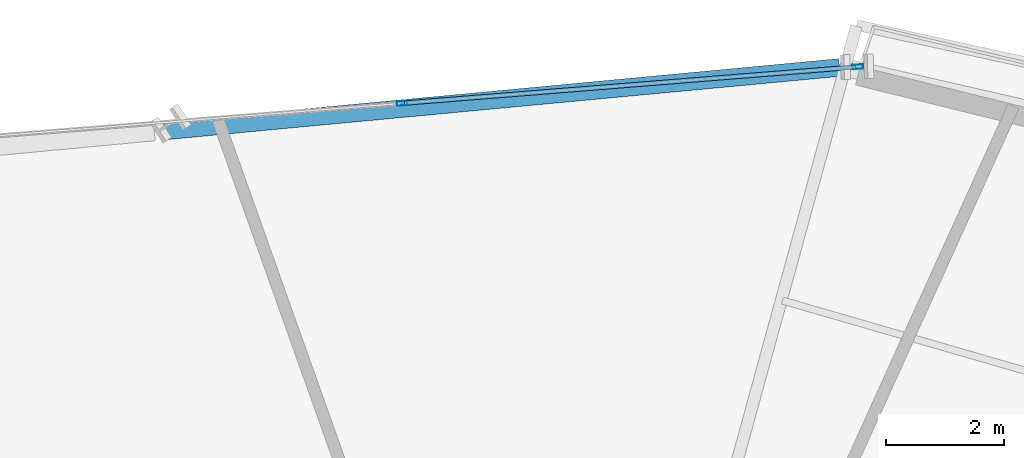
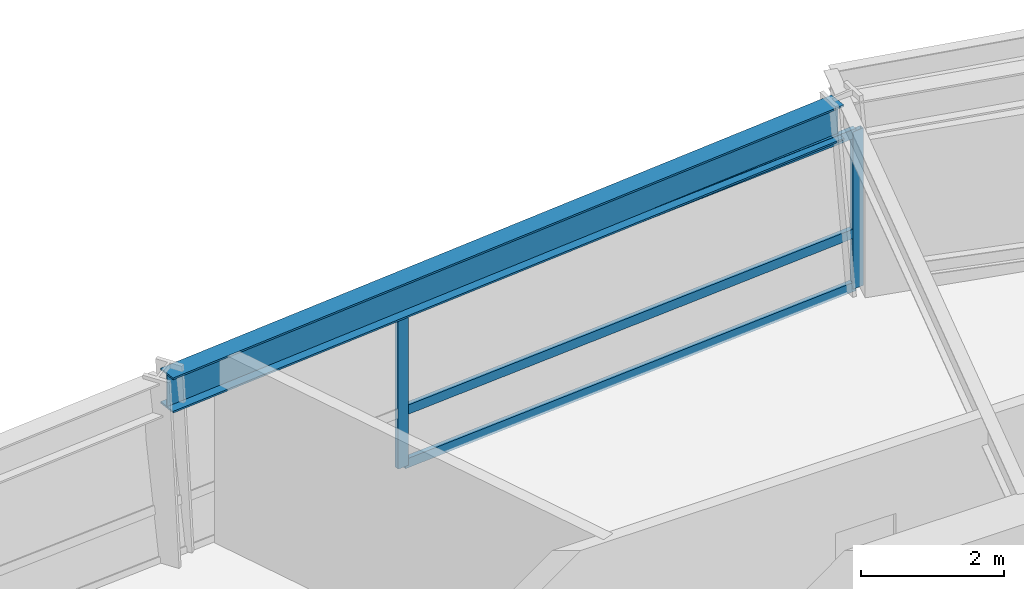
# One storey, part 8 of 18: 5 members, 1 beam, 1 element without a shape of its own.
"""IFC4 building model written with IfcOpenShell, lengths in metres."""

from ifc_helpers import new_model, si_unit, direction, frame, origin, origin_2d, place, context, subcontext, project, spatial, hollow_rectangle, i_section, extrude, source, transform, mapped, material, material_profile, profile_set, type_object, element, aggregate, save


model = new_model("IFC4")

# Units and contexts
model_context = context("Model", 3, precision=1e-05, world=origin(), true_north=direction((0.0, 1.0)))
body_context = subcontext(model_context, "Body", "Model", "MODEL_VIEW")
ifc_project = project(units=[si_unit("LENGTHUNIT", "METRE"), si_unit("AREAUNIT", "SQUARE_METRE"), si_unit("VOLUMEUNIT", "CUBIC_METRE"), si_unit("PLANEANGLEUNIT", "RADIAN"), si_unit("MASSUNIT", "GRAM", prefix="KILO")], contexts=[model_context])

# Site, building, storey
site_placement = place(None, origin())
site = spatial("IfcSite", under=ifc_project, at=site_placement, CompositionType="ELEMENT")
building_placement = place(site_placement, origin())
building = spatial("IfcBuilding", under=site, at=building_placement, Name="Olszyna Solenne Hotel", CompositionType="ELEMENT")
storey_placement = place(building_placement, frame((0.0, 0.0, 112.800048828125)))
storey = spatial("IfcBuildingStorey", under=building, at=storey_placement, Name="L29", CompositionType="ELEMENT", Elevation=112.800048828125)

# Beam
ifc_material_1 = material(Name="Steel S355J2", Category="steel")
ifc_material_profile_1 = material_profile(ifc_material_1, i_section(OverallWidth=0.300048828125, OverallDepth=0.60009765625, WebThickness=0.015380859375, FlangeThickness=0.030029296875, at=origin_2d()), Name="HEB 600", Category="load-bearing")
ifc_profile_set_1 = profile_set([ifc_material_profile_1], Name="Steel S355J2")
beam_type = type_object("IfcBeamType", Name="BM-S2", PredefinedType="BEAM", material=ifc_profile_set_1)
shared_shape_1 = source(origin(), body_context, "Body", "SweptSolid", [
    extrude(i_section(OverallWidth=0.300048828125, OverallDepth=0.60009765625, WebThickness=0.015380859375, FlangeThickness=0.030029296875, at=origin_2d()), origin(), (0.0, 0.0, 1.0), 11.525390625),
])
beam_placement = place(storey_placement, frame((42.64404296875, 43.978271484375, 3.0), z_axis=(-0.995611249685, -0.09358546629, 0.0), x_axis=(0.09358546629, -0.995611249685, 0.0)))
element("IfcBeam", 1, at=beam_placement, inside=storey, type_object=beam_type, Name="Perimeter spandrel beam BM-S2 B-L29-0870", PredefinedType="BEAM", context=body_context, shape_type="MappedRepresentation", body=[
    mapped(shared_shape_1, transform((0.0, 0.0, 0.0), x_axis=(1.0, 0.0, 0.0), y_axis=(0.0, 1.0, 0.0), z_axis=(0.0, 0.0, 1.0), scale=1.0)),
])

# Curtain wall, members
ifc_material_2 = material(Name="Anodised bronze aluminium", Category="aluminium")
curtain_wall_type = type_object("IfcCurtainWallType", Name="CW-SYS-3", PredefinedType="NOTDEFINED", material=ifc_material_2)
curtain_wall_placement = place(storey_placement, origin())
curtain_wall = element("IfcCurtainWall", 2, at=curtain_wall_placement, inside=storey, type_object=curtain_wall_type, Name="Unitised curtain wall CW-SYS-3 CW-L29-02", PredefinedType="NOTDEFINED")
ifc_material_profile_2 = material_profile(ifc_material_2, hollow_rectangle(XDim=0.074951171875, YDim=0.179931640625, WallThickness=0.00439453125, at=origin_2d()), Name="MULL 180x75x4.5", Category="load-bearing")
ifc_profile_set_2 = profile_set([ifc_material_profile_2], Name="Anodised bronze aluminium")
member_type_1 = type_object("IfcMemberType", Name="CW-M2", PredefinedType="MULLION", material=ifc_profile_set_2)
shared_shape_2 = source(origin(), body_context, "Body", "SweptSolid", [
    extrude(hollow_rectangle(XDim=0.074951171875, YDim=0.179931640625, WallThickness=0.00439453125, at=origin_2d()), origin(), (0.0, 0.0, 1.0), 2.69189453125),
])
member_1_placement = place(storey_placement, frame((35.2431640625, 43.371826171875, 0.0), z_axis=(0.0, 0.0, 1.0), x_axis=(-0.079902860411, 0.996802654941, 0.0)))
member_1 = element("IfcMember", 3, at=member_1_placement, type_object=member_type_1, Name="Curtain-wall mullion CW-M2 CM-L29-02-03", PredefinedType="MULLION", context=body_context, shape_type="MappedRepresentation", body=[
    mapped(shared_shape_2, transform((0.0, 0.0, 0.0), x_axis=(1.0, 0.0, 0.0), y_axis=(0.0, 1.0, 0.0), z_axis=(0.0, 0.0, 1.0), scale=1.0)),
])
member_2_placement = place(storey_placement, frame((42.955078125, 43.989990234375, 0.0), z_axis=(0.0, 0.0, 1.0), x_axis=(-0.079902860411, 0.996802654941, 0.0)))
member_2 = element("IfcMember", 4, at=member_2_placement, type_object=member_type_1, Name="Curtain-wall mullion CW-M2 CM-L29-02-04", PredefinedType="MULLION", context=body_context, shape_type="MappedRepresentation", body=[
    mapped(shared_shape_2, transform((0.0, 0.0, 0.0), x_axis=(1.0, 0.0, 0.0), y_axis=(0.0, 1.0, 0.0), z_axis=(0.0, 0.0, 1.0), scale=1.0)),
])
ifc_material_profile_3 = material_profile(ifc_material_2, hollow_rectangle(XDim=0.074951171875, YDim=0.159912109375, WallThickness=0.00390625, at=origin_2d()), Name="TRAN 160x75x4", Category="load-bearing")
ifc_profile_set_3 = profile_set([ifc_material_profile_3], Name="Anodised bronze aluminium")
member_type_2 = type_object("IfcMemberType", Name="CW-T1", PredefinedType="USERDEFINED", material=ifc_profile_set_3)
shared_shape_3 = source(origin(), body_context, "Body", "SweptSolid", [
    extrude(hollow_rectangle(XDim=0.074951171875, YDim=0.159912109375, WallThickness=0.00390625, at=origin_2d()), origin(), (0.0, 0.0, 1.0), 7.66162109375),
])
member_3_placement = place(storey_placement, frame((35.280517578125, 43.374755859375, 0.037353515625), z_axis=(0.996804022118, 0.079885802808, 0.0), x_axis=(-0.079885802808, 0.996804022118, 0.0)))
member_3 = element("IfcMember", 5, at=member_3_placement, type_object=member_type_2, Name="Curtain-wall transom CW-T1 CT-L29-02-07", ObjectType="TRANSOM", PredefinedType="USERDEFINED", context=body_context, shape_type="MappedRepresentation", body=[
    mapped(shared_shape_3, transform((0.0, 0.0, 0.0), x_axis=(1.0, 0.0, 0.0), y_axis=(0.0, 1.0, 0.0), z_axis=(0.0, 0.0, 1.0), scale=1.0)),
])
member_4_placement = place(storey_placement, frame((35.280517578125, 43.374755859375, 0.949951171875), z_axis=(0.996804022118, 0.079885802808, 0.0), x_axis=(-0.079885802808, 0.996804022118, 0.0)))
member_4 = element("IfcMember", 6, at=member_4_placement, type_object=member_type_2, Name="Curtain-wall transom CW-T1 CT-L29-02-08", ObjectType="TRANSOM", PredefinedType="USERDEFINED", context=body_context, shape_type="MappedRepresentation", body=[
    mapped(shared_shape_3, transform((0.0, 0.0, 0.0), x_axis=(1.0, 0.0, 0.0), y_axis=(0.0, 1.0, 0.0), z_axis=(0.0, 0.0, 1.0), scale=1.0)),
])
member_5_placement = place(storey_placement, frame((35.280517578125, 43.374755859375, 2.654541015625), z_axis=(0.996804022118, 0.079885802808, 0.0), x_axis=(-0.079885802808, 0.996804022118, 0.0)))
member_5 = element("IfcMember", 7, at=member_5_placement, type_object=member_type_2, Name="Curtain-wall transom CW-T1 CT-L29-02-09", ObjectType="TRANSOM", PredefinedType="USERDEFINED", context=body_context, shape_type="MappedRepresentation", body=[
    mapped(shared_shape_3, transform((0.0, 0.0, 0.0), x_axis=(1.0, 0.0, 0.0), y_axis=(0.0, 1.0, 0.0), z_axis=(0.0, 0.0, 1.0), scale=1.0)),
])
aggregate(curtain_wall, [member_1, member_2, member_3, member_4, member_5])

save(model, "model.ifc")
